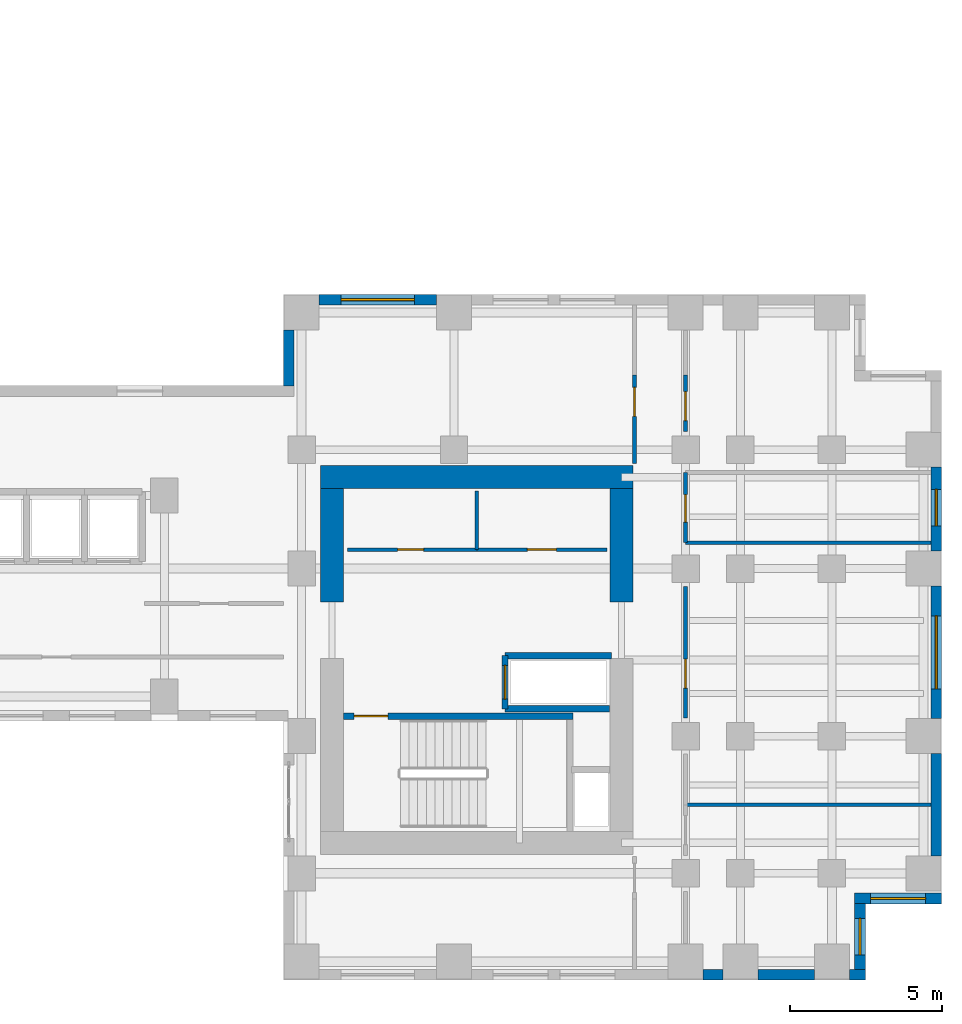
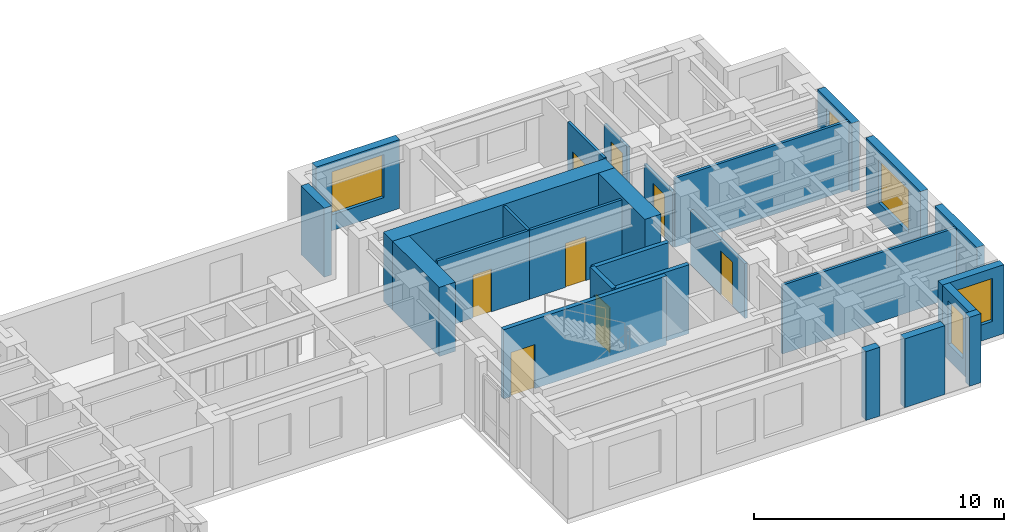
# One storey, part 8 of 12: 26 walls, 8 doors, 5 windows, 13 openings.
"""IFC4 building model written with IfcOpenShell, lengths in metres."""

from ifc_helpers import new_model, si_unit, direction, frame, frame_2d, origin, place, context, subcontext, project, spatial, rectangle, extrude, source, transform, mapped, material, layer, layer_set, type_object, element, fill, save


model = new_model("IFC4")

# Units and contexts
model_context = context("Model", 3, precision=1e-05, world=origin(), true_north=direction((0.0, 1.0)))
body_context = subcontext(model_context, "Body", "Model", "MODEL_VIEW")
ifc_project = project(units=[si_unit("LENGTHUNIT", "METRE"), si_unit("AREAUNIT", "SQUARE_METRE"), si_unit("VOLUMEUNIT", "CUBIC_METRE"), si_unit("PLANEANGLEUNIT", "RADIAN"), si_unit("MASSUNIT", "GRAM", prefix="KILO")], contexts=[model_context])

# Site, building, storey
site_placement = place(None, origin())
site = spatial("IfcSite", under=ifc_project, at=site_placement, CompositionType="ELEMENT")
building_placement = place(site_placement, origin())
building = spatial("IfcBuilding", under=site, at=building_placement, Name="Kharzan Plaza Tower", CompositionType="ELEMENT")
storey_placement = place(building_placement, frame((0.0, 0.0, 117.0)))
storey = spatial("IfcBuildingStorey", under=building, at=storey_placement, Name="L31", CompositionType="ELEMENT", Elevation=117.0)

# Wall, opening, window
ifc_material_1 = material(Name="Concrete C40/50", Category="concrete")
ifc_layer_1 = layer(ifc_material_1, 0.35009765625)
ifc_layer_set_1 = layer_set([ifc_layer_1], Name="Concrete C40/50")
wall_type_1 = type_object("IfcWallType", Name="WL-EXT-MAS-Z2", PredefinedType="SOLIDWALL", material=ifc_layer_set_1)
wall_1_placement = place(storey_placement, frame((53.324951171875, 0.347900390625, 0.0), z_axis=(0.0, 0.0, 1.0), x_axis=(0.0, 1.0, 0.0)))
wall_1 = element("IfcWall", 1, at=wall_1_placement, inside=storey, type_object=wall_type_1, Name="L31 Masonry-Frame Exterior Wall 45", PredefinedType="SOLIDWALL", context=body_context, shape_type="SweptSolid", body=[
    extrude(rectangle(XDim=2.154052734375, YDim=0.35009765625, at=frame_2d((1.0771484375, 0.0))), origin(), (0.0, 0.0, 1.0), 3.364990234375),
])
opening_1_placement = place(wall_1_placement, frame((0.47705078125, 0.0, 0.780029296875)))
opening_1 = element("IfcOpeningElement", 2, at=opening_1_placement, cuts=wall_1, Name="Opening W3", PredefinedType="OPENING", context=body_context, shape_type="SweptSolid", body=[
    extrude(rectangle(XDim=1.199951171875, YDim=2.10009765625, at=frame_2d((0.60009765625, 1.050048828125))), frame((0.0, 0.18505859375, 0.0), z_axis=(0.0, -1.0, 0.0), x_axis=(1.0, 0.0, 0.0)), (0.0, 0.0, 1.0), 0.3701171875),
])
ifc_material_2 = material(Name="Low-E Double Glazing", Category="glass")
window_type_1 = type_object("IfcWindowType", Name="WN-REC-1200x2100", PartitioningType="SINGLE_PANEL", PredefinedType="WINDOW", material=ifc_material_2)
shared_shape_1 = source(origin(), body_context, "Body", "SweptSolid", [
    extrude(rectangle(XDim=1.199951171875, YDim=2.10009765625, at=frame_2d((0.60009765625, 1.050048828125))), frame((0.0, 0.030029296875, 0.0), z_axis=(0.0, -1.0, 0.0), x_axis=(1.0, 0.0, 0.0)), (0.0, 0.0, 1.0), 0.06005859375),
])
window_1_placement = place(opening_1_placement, origin())
window_1 = element("IfcWindow", 3, at=window_1_placement, inside=storey, type_object=window_type_1, Name="L31 Recessed Solar-Control Window 45-1", OverallHeight=2.10009765625, OverallWidth=1.199951171875, PartitioningType="SINGLE_PANEL", PredefinedType="WINDOW", context=body_context, shape_type="MappedRepresentation", body=[
    mapped(shared_shape_1, transform((0.0, 0.0, 0.0), x_axis=(1.0, 0.0, 0.0), y_axis=(0.0, 1.0, 0.0), z_axis=(0.0, 0.0, 1.0))),
])
fill(opening_1, window_1)

wall_2_placement = place(storey_placement, frame((53.14990234375, 2.675048828125, 0.0), z_axis=(0.0, 0.0, 1.0), x_axis=(1.0, 0.0, 0.0)))
wall_2 = element("IfcWall", 4, at=wall_2_placement, inside=storey, type_object=wall_type_1, Name="L31 Masonry-Frame Exterior Wall 46", PredefinedType="SOLIDWALL", context=body_context, shape_type="SweptSolid", body=[
    extrude(rectangle(XDim=2.85009765625, YDim=0.35009765625, at=frame_2d((1.425048828125, 0.0))), origin(), (0.0, 0.0, 1.0), 3.364990234375),
])
opening_2_placement = place(wall_2_placement, frame((0.52490234375, 0.0, 0.780029296875)))
opening_2 = element("IfcOpeningElement", 5, at=opening_2_placement, cuts=wall_2, Name="Opening W1", PredefinedType="OPENING", context=body_context, shape_type="SweptSolid", body=[
    extrude(rectangle(XDim=1.800048828125, YDim=2.10009765625, at=frame_2d((0.89990234375, 1.050048828125))), frame((0.0, 0.18505859375, 0.0), z_axis=(0.0, -1.0, 0.0), x_axis=(1.0, 0.0, 0.0)), (0.0, 0.0, 1.0), 0.3701171875),
])
window_type_2 = type_object("IfcWindowType", Name="WN-REC-1800x2100", PartitioningType="SINGLE_PANEL", PredefinedType="WINDOW", material=ifc_material_2)
shared_shape_2 = source(origin(), body_context, "Body", "SweptSolid", [
    extrude(rectangle(XDim=1.800048828125, YDim=2.10009765625, at=frame_2d((0.89990234375, 1.050048828125))), frame((0.0, 0.030029296875, 0.0), z_axis=(0.0, -1.0, 0.0), x_axis=(1.0, 0.0, 0.0)), (0.0, 0.0, 1.0), 0.06005859375),
])
window_2_placement = place(opening_2_placement, origin())
window_2 = element("IfcWindow", 6, at=window_2_placement, inside=storey, type_object=window_type_2, Name="L31 Recessed Solar-Control Window 46-1", OverallHeight=2.10009765625, OverallWidth=1.800048828125, PartitioningType="SINGLE_PANEL", PredefinedType="WINDOW", context=body_context, shape_type="MappedRepresentation", body=[
    mapped(shared_shape_2, transform((0.0, 0.0, 0.0), x_axis=(1.0, 0.0, 0.0), y_axis=(0.0, 1.0, 0.0), z_axis=(0.0, 0.0, 1.0))),
])
fill(opening_2, window_2)

wall_3_placement = place(storey_placement, frame((55.824951171875, 8.572998046875, 0.0), z_axis=(0.0, 0.0, 1.0), x_axis=(0.0, 1.0, 0.0)))
wall_3 = element("IfcWall", 7, at=wall_3_placement, inside=storey, type_object=wall_type_1, Name="L31 Masonry-Frame Exterior Wall 48", PredefinedType="SOLIDWALL", context=body_context, shape_type="SweptSolid", body=[
    extrude(rectangle(XDim=4.35400390625, YDim=0.35009765625, at=frame_2d((2.177001953125, 0.0))), origin(), (0.0, 0.0, 1.0), 3.364990234375),
])
opening_3_placement = place(wall_3_placement, frame((0.97705078125, 0.0, 0.780029296875)))
opening_3 = element("IfcOpeningElement", 8, at=opening_3_placement, cuts=wall_3, Name="Opening W2", PredefinedType="OPENING", context=body_context, shape_type="SweptSolid", body=[
    extrude(rectangle(XDim=2.39990234375, YDim=2.10009765625, at=frame_2d((1.199951171875, 1.050048828125))), frame((0.0, 0.18505859375, 0.0), z_axis=(0.0, -1.0, 0.0), x_axis=(1.0, 0.0, 0.0)), (0.0, 0.0, 1.0), 0.3701171875),
])
window_type_3 = type_object("IfcWindowType", Name="WN-REC-2400x2100", PartitioningType="SINGLE_PANEL", PredefinedType="WINDOW", material=ifc_material_2)
shared_shape_3 = source(origin(), body_context, "Body", "SweptSolid", [
    extrude(rectangle(XDim=2.39990234375, YDim=2.10009765625, at=frame_2d((1.199951171875, 1.050048828125))), frame((0.0, 0.030029296875, 0.0), z_axis=(0.0, -1.0, 0.0), x_axis=(1.0, 0.0, 0.0)), (0.0, 0.0, 1.0), 0.06005859375),
])
window_3_placement = place(opening_3_placement, origin())
window_3 = element("IfcWindow", 9, at=window_3_placement, inside=storey, type_object=window_type_3, Name="L31 Wide Recessed Solar-Control Window 48-1", OverallHeight=2.10009765625, OverallWidth=2.39990234375, PartitioningType="SINGLE_PANEL", PredefinedType="WINDOW", context=body_context, shape_type="MappedRepresentation", body=[
    mapped(shared_shape_3, transform((0.0, 0.0, 0.0), x_axis=(1.0, 0.0, 0.0), y_axis=(0.0, 1.0, 0.0), z_axis=(0.0, 0.0, 1.0))),
])
fill(opening_3, window_3)

wall_4_placement = place(storey_placement, frame((55.824951171875, 14.072998046875, 0.0), z_axis=(0.0, 0.0, 1.0), x_axis=(0.0, 1.0, 0.0)))
wall_4 = element("IfcWall", 10, at=wall_4_placement, inside=storey, type_object=wall_type_1, Name="L31 Masonry-Frame Exterior Wall 49", PredefinedType="SOLIDWALL", context=body_context, shape_type="SweptSolid", body=[
    extrude(rectangle(XDim=2.75390625, YDim=0.35009765625, at=frame_2d((1.376953125, 0.0))), origin(), (0.0, 0.0, 1.0), 3.364990234375),
])
opening_4_placement = place(wall_4_placement, frame((0.826904296875, 0.0, 0.780029296875)))
opening_4 = element("IfcOpeningElement", 11, at=opening_4_placement, cuts=wall_4, Name="Opening W3", PredefinedType="OPENING", context=body_context, shape_type="SweptSolid", body=[
    extrude(rectangle(XDim=1.199951171875, YDim=2.10009765625, at=frame_2d((0.60009765625, 1.050048828125))), frame((0.0, 0.18505859375, 0.0), z_axis=(0.0, -1.0, 0.0), x_axis=(1.0, 0.0, 0.0)), (0.0, 0.0, 1.0), 0.3701171875),
])
window_4_placement = place(opening_4_placement, origin())
window_4 = element("IfcWindow", 12, at=window_4_placement, inside=storey, type_object=window_type_1, Name="L31 Recessed Solar-Control Window 49-1", OverallHeight=2.10009765625, OverallWidth=1.199951171875, PartitioningType="SINGLE_PANEL", PredefinedType="WINDOW", context=body_context, shape_type="MappedRepresentation", body=[
    mapped(shared_shape_1, transform((0.0, 0.0, 0.0), x_axis=(1.0, 0.0, 0.0), y_axis=(0.0, 1.0, 0.0), z_axis=(0.0, 0.0, 1.0))),
])
fill(opening_4, window_4)

wall_5_placement = place(storey_placement, frame((39.427001953125, 22.324951171875, 0.0), z_axis=(0.0, 0.0, 1.0), x_axis=(-1.0, 0.0, 0.0)))
wall_5 = element("IfcWall", 13, at=wall_5_placement, inside=storey, type_object=wall_type_1, Name="L31 Masonry-Frame Exterior Wall 57", PredefinedType="SOLIDWALL", context=body_context, shape_type="SweptSolid", body=[
    extrude(rectangle(XDim=3.85400390625, YDim=0.35009765625, at=frame_2d((1.927001953125, 0.0))), origin(), (0.0, 0.0, 1.0), 3.364990234375),
])
opening_5_placement = place(wall_5_placement, frame((0.72705078125, 0.0, 0.780029296875)))
opening_5 = element("IfcOpeningElement", 14, at=opening_5_placement, cuts=wall_5, Name="Opening W2", PredefinedType="OPENING", context=body_context, shape_type="SweptSolid", body=[
    extrude(rectangle(XDim=2.39990234375, YDim=2.10009765625, at=frame_2d((1.199951171875, 1.050048828125))), frame((0.0, 0.18505859375, 0.0), z_axis=(0.0, -1.0, 0.0), x_axis=(1.0, 0.0, 0.0)), (0.0, 0.0, 1.0), 0.3701171875),
])
window_5_placement = place(opening_5_placement, origin())
window_5 = element("IfcWindow", 15, at=window_5_placement, inside=storey, type_object=window_type_3, Name="L31 Wide Recessed Solar-Control Window 57-1", OverallHeight=2.10009765625, OverallWidth=2.39990234375, PartitioningType="SINGLE_PANEL", PredefinedType="WINDOW", context=body_context, shape_type="MappedRepresentation", body=[
    mapped(shared_shape_3, transform((0.0, 0.0, 0.0), x_axis=(1.0, 0.0, 0.0), y_axis=(0.0, 1.0, 0.0), z_axis=(0.0, 0.0, 1.0))),
])
fill(opening_5, window_5)

# Wall, opening, door
ifc_material_3 = material(Name="Fire-Rated Gypsum Board Partition", Category="gypsum")
ifc_layer_2 = layer(ifc_material_3, 0.125)
ifc_layer_set_2 = layer_set([ifc_layer_2], Name="Fire-Rated Gypsum Board Partition")
wall_type_2 = type_object("IfcWallType", Name="WL-INT-PART-125", PredefinedType="PARTITIONING", material=ifc_layer_set_2)
wall_6_placement = place(storey_placement, frame((36.5, 14.1201171875, 0.0), z_axis=(0.0, 0.0, 1.0), x_axis=(1.0, 0.0, 0.0)))
wall_6 = element("IfcWall", 16, at=wall_6_placement, inside=storey, type_object=wall_type_2, Name="L31 Interior Partition CB-RBLS1", PredefinedType="PARTITIONING", context=body_context, shape_type="SweptSolid", body=[
    extrude(rectangle(XDim=4.25, YDim=0.125, at=frame_2d((2.125, 0.0))), origin(), (0.0, 0.0, 1.0), 3.364990234375),
])
opening_6_placement = place(wall_6_placement, frame((1.64990234375, 0.0, 0.0)))
opening_6 = element("IfcOpeningElement", 17, at=opening_6_placement, cuts=wall_6, Name="Opening RD1", PredefinedType="OPENING", context=body_context, shape_type="SweptSolid", body=[
    extrude(rectangle(XDim=0.85009765625, YDim=2.10009765625, at=frame_2d((0.425048828125, 1.050048828125))), frame((0.0, 0.072509765625, 0.0), z_axis=(0.0, -1.0, 0.0), x_axis=(1.0, 0.0, 0.0)), (0.0, 0.0, 1.0), 0.14501953125),
])
ifc_material_4 = material(Name="Powder-Coated Fire-Rated Steel", Category="steel")
door_type_1 = type_object("IfcDoorType", Name="DR-RISER-900", OperationType="NOTDEFINED", PredefinedType="DOOR", material=ifc_material_4)
shared_shape_4 = source(origin(), body_context, "Body", "SweptSolid", [
    extrude(rectangle(XDim=0.85009765625, YDim=2.10009765625, at=frame_2d((0.425048828125, 1.050048828125))), frame((0.0, 0.02490234375, 0.0), z_axis=(0.0, -1.0, 0.0), x_axis=(1.0, 0.0, 0.0)), (0.0, 0.0, 1.0), 0.050048828125),
])
door_1_placement = place(opening_6_placement, origin())
door_1 = element("IfcDoor", 18, at=door_1_placement, inside=storey, type_object=door_type_1, Name="L31 Archive Room Door", OperationType="SINGLE_SWING_RIGHT", OverallHeight=2.10009765625, OverallWidth=0.85009765625, PredefinedType="DOOR", context=body_context, shape_type="MappedRepresentation", body=[
    mapped(shared_shape_4, transform((0.0, 0.0, 0.0), x_axis=(1.0, 0.0, 0.0), y_axis=(0.0, 1.0, 0.0), z_axis=(0.0, 0.0, 1.0))),
])
fill(opening_6, door_1)

wall_7_placement = place(storey_placement, frame((40.75, 14.1201171875, 0.0), z_axis=(0.0, 0.0, 1.0), x_axis=(1.0, 0.0, 0.0)))
wall_7 = element("IfcWall", 19, at=wall_7_placement, inside=storey, type_object=wall_type_2, Name="L31 Interior Partition CB-RBLS2", PredefinedType="PARTITIONING", context=body_context, shape_type="SweptSolid", body=[
    extrude(rectangle(XDim=4.27001953125, YDim=0.125, at=frame_2d((2.135009765625, 0.0))), origin(), (0.0, 0.0, 1.0), 3.364990234375),
])
opening_7_placement = place(wall_7_placement, frame((1.659912109375, 0.0, 0.0)))
opening_7 = element("IfcOpeningElement", 20, at=opening_7_placement, cuts=wall_7, Name="Opening OD1", PredefinedType="OPENING", context=body_context, shape_type="SweptSolid", body=[
    extrude(rectangle(XDim=0.949951171875, YDim=2.14990234375, at=frame_2d((0.47509765625, 1.074951171875))), frame((0.0, 0.072509765625, 0.0), z_axis=(0.0, -1.0, 0.0), x_axis=(1.0, 0.0, 0.0)), (0.0, 0.0, 1.0), 0.14501953125),
])
ifc_material_5 = material(Name="Acoustic Solid-Core Stained Oak", Category="timber")
door_type_2 = type_object("IfcDoorType", Name="DR-OFF-SINGLE", OperationType="NOTDEFINED", PredefinedType="DOOR", material=ifc_material_5)
shared_shape_5 = source(origin(), body_context, "Body", "SweptSolid", [
    extrude(rectangle(XDim=0.949951171875, YDim=2.14990234375, at=frame_2d((0.47509765625, 1.074951171875))), frame((0.0, 0.02490234375, 0.0), z_axis=(0.0, -1.0, 0.0), x_axis=(1.0, 0.0, 0.0)), (0.0, 0.0, 1.0), 0.050048828125),
])
door_2_placement = place(opening_7_placement, origin())
door_2 = element("IfcDoor", 21, at=door_2_placement, inside=storey, type_object=door_type_2, Name="L31 Print Room Door", OperationType="SINGLE_SWING_LEFT", OverallHeight=2.14990234375, OverallWidth=0.949951171875, PredefinedType="DOOR", context=body_context, shape_type="MappedRepresentation", body=[
    mapped(shared_shape_5, transform((0.0, 0.0, 0.0), x_axis=(1.0, 0.0, 0.0), y_axis=(0.0, 1.0, 0.0), z_axis=(0.0, 0.0, 1.0))),
])
fill(opening_7, door_2)

wall_8_placement = place(storey_placement, frame((47.60009765625, 8.590087890625, 0.0), z_axis=(0.0, 0.0, 1.0), x_axis=(0.0, 1.0, 0.0)))
wall_8 = element("IfcWall", 22, at=wall_8_placement, inside=storey, type_object=wall_type_2, Name="L31 Interior Partition SH-B3W1-S2", PredefinedType="PARTITIONING", context=body_context, shape_type="SweptSolid", body=[
    extrude(rectangle(XDim=4.31982421875, YDim=0.125, at=frame_2d((2.159912109375, 0.0))), origin(), (0.0, 0.0, 1.0), 2.677001953125),
])
opening_8_placement = place(wall_8_placement, frame((0.985107421875, 0.0, 0.0)))
opening_8 = element("IfcOpeningElement", 23, at=opening_8_placement, cuts=wall_8, Name="Opening OD1", PredefinedType="OPENING", context=body_context, shape_type="SweptSolid", body=[
    extrude(rectangle(XDim=0.949951171875, YDim=2.14990234375, at=frame_2d((0.47509765625, 1.074951171875))), frame((0.0, 0.072509765625, 0.0), z_axis=(0.0, -1.0, 0.0), x_axis=(1.0, 0.0, 0.0)), (0.0, 0.0, 1.0), 0.14501953125),
])
door_3_placement = place(opening_8_placement, origin())
door_3 = element("IfcDoor", 24, at=door_3_placement, inside=storey, type_object=door_type_2, Name="L31 Wing B Office 2 Door", OperationType="SINGLE_SWING_RIGHT", OverallHeight=2.14990234375, OverallWidth=0.949951171875, PredefinedType="DOOR", context=body_context, shape_type="MappedRepresentation", body=[
    mapped(shared_shape_5, transform((0.0, 0.0, 0.0), x_axis=(1.0, 0.0, 0.0), y_axis=(0.0, 1.0, 0.0), z_axis=(0.0, 0.0, 1.0))),
])
fill(opening_8, door_3)

wall_9_placement = place(storey_placement, frame((47.60009765625, 17.989990234375, 0.0), z_axis=(0.0, 0.0, 1.0), x_axis=(0.0, 1.0, 0.0)))
wall_9 = element("IfcWall", 25, at=wall_9_placement, inside=storey, type_object=wall_type_2, Name="L31 Interior Partition SH-B3W2", PredefinedType="PARTITIONING", context=body_context, shape_type="SweptSolid", body=[
    extrude(rectangle(XDim=1.860107421875, YDim=0.125, at=frame_2d((0.93017578125, 0.0))), origin(), (0.0, 0.0, 1.0), 2.677001953125),
])
opening_9_placement = place(wall_9_placement, frame((0.36328125, 0.0, 0.0)))
opening_9 = element("IfcOpeningElement", 26, at=opening_9_placement, cuts=wall_9, Name="Opening OD1", PredefinedType="OPENING", context=body_context, shape_type="SweptSolid", body=[
    extrude(rectangle(XDim=0.949951171875, YDim=2.14990234375, at=frame_2d((0.47509765625, 1.074951171875))), frame((0.0, 0.072509765625, 0.0), z_axis=(0.0, -1.0, 0.0), x_axis=(1.0, 0.0, 0.0)), (0.0, 0.0, 1.0), 0.14501953125),
])
door_4_placement = place(opening_9_placement, origin())
door_4 = element("IfcDoor", 27, at=door_4_placement, inside=storey, type_object=door_type_2, Name="L31 Wing B Office 3 Door", OperationType="SINGLE_SWING_RIGHT", OverallHeight=2.14990234375, OverallWidth=0.949951171875, PredefinedType="DOOR", context=body_context, shape_type="MappedRepresentation", body=[
    mapped(shared_shape_5, transform((0.0, 0.0, 0.0), x_axis=(1.0, 0.0, 0.0), y_axis=(0.0, 1.0, 0.0), z_axis=(0.0, 0.0, 1.0))),
])
fill(opening_9, door_4)

wall_10_placement = place(storey_placement, frame((47.60009765625, 14.35009765625, 0.0), z_axis=(0.0, 0.0, 1.0), x_axis=(0.0, 1.0, 0.0)))
wall_10 = element("IfcWall", 28, at=wall_10_placement, inside=storey, type_object=wall_type_2, Name="L31 Interior Partition SH-B3WC", PredefinedType="PARTITIONING", context=body_context, shape_type="SweptSolid", body=[
    extrude(rectangle(XDim=2.2998046875, YDim=0.125, at=frame_2d((1.14990234375, 0.0))), origin(), (0.0, 0.0, 1.0), 2.677001953125),
])
opening_10_placement = place(wall_10_placement, frame((0.675048828125, 0.0, 0.0)))
opening_10 = element("IfcOpeningElement", 29, at=opening_10_placement, cuts=wall_10, Name="Opening WD1", PredefinedType="OPENING", context=body_context, shape_type="SweptSolid", body=[
    extrude(rectangle(XDim=0.89990234375, YDim=2.14990234375, at=frame_2d((0.449951171875, 1.074951171875))), frame((0.0, 0.072509765625, 0.0), z_axis=(0.0, -1.0, 0.0), x_axis=(1.0, 0.0, 0.0)), (0.0, 0.0, 1.0), 0.14501953125),
])
ifc_material_6 = material(Name="Moisture-Resistant Fire-Rated Laminate", Category="timber")
door_type_3 = type_object("IfcDoorType", Name="DR-WC-900", OperationType="NOTDEFINED", PredefinedType="DOOR", material=ifc_material_6)
shared_shape_6 = source(origin(), body_context, "Body", "SweptSolid", [
    extrude(rectangle(XDim=0.89990234375, YDim=2.14990234375, at=frame_2d((0.449951171875, 1.074951171875))), frame((0.0, 0.02490234375, 0.0), z_axis=(0.0, -1.0, 0.0), x_axis=(1.0, 0.0, 0.0)), (0.0, 0.0, 1.0), 0.050048828125),
])
door_5_placement = place(opening_10_placement, origin())
door_5 = element("IfcDoor", 30, at=door_5_placement, inside=storey, type_object=door_type_3, Name="L31 Wing B Washroom Door", OperationType="SINGLE_SWING_LEFT", OverallHeight=2.14990234375, OverallWidth=0.89990234375, PredefinedType="DOOR", context=body_context, shape_type="MappedRepresentation", body=[
    mapped(shared_shape_6, transform((0.0, 0.0, 0.0), x_axis=(1.0, 0.0, 0.0), y_axis=(0.0, 1.0, 0.0), z_axis=(0.0, 0.0, 1.0))),
])
fill(opening_10, door_5)

wall_11_placement = place(storey_placement, frame((45.919921875, 16.949951171875, 0.0), z_axis=(0.0, 0.0, 1.0), x_axis=(0.0, 1.0, 0.0)))
wall_11 = element("IfcWall", 31, at=wall_11_placement, inside=storey, type_object=wall_type_2, Name="L31 Interior Partition SH-RBNE", PredefinedType="PARTITIONING", context=body_context, shape_type="SweptSolid", body=[
    extrude(rectangle(XDim=2.900146484375, YDim=0.125, at=frame_2d((1.4501953125, 0.0))), origin(), (0.0, 0.0, 1.0), 3.364990234375),
])
opening_11_placement = place(wall_11_placement, frame((1.54296875, 0.0, 0.0)))
opening_11 = element("IfcOpeningElement", 32, at=opening_11_placement, cuts=wall_11, Name="Opening OD1", PredefinedType="OPENING", context=body_context, shape_type="SweptSolid", body=[
    extrude(rectangle(XDim=0.949951171875, YDim=2.14990234375, at=frame_2d((0.47509765625, 1.074951171875))), frame((0.0, 0.072509765625, 0.0), z_axis=(0.0, -1.0, 0.0), x_axis=(1.0, 0.0, 0.0)), (0.0, 0.0, 1.0), 0.14501953125),
])
door_6_placement = place(opening_11_placement, origin())
door_6 = element("IfcDoor", 33, at=door_6_placement, inside=storey, type_object=door_type_2, Name="L31 Wing B North Studio Door", OperationType="SINGLE_SWING_RIGHT", OverallHeight=2.14990234375, OverallWidth=0.949951171875, PredefinedType="DOOR", context=body_context, shape_type="MappedRepresentation", body=[
    mapped(shared_shape_5, transform((0.0, 0.0, 0.0), x_axis=(1.0, 0.0, 0.0), y_axis=(0.0, 1.0, 0.0), z_axis=(0.0, 0.0, 1.0))),
])
fill(opening_11, door_6)

ifc_layer_3 = layer(ifc_material_1, 0.199951171875)
ifc_layer_set_3 = layer_set([ifc_layer_3], Name="Concrete C40/50")
wall_type_3 = type_object("IfcWallType", Name="WL-INT-SHAFT-200", PredefinedType="PARTITIONING", material=ifc_layer_set_3)
wall_12_placement = place(storey_placement, frame((41.679931640625, 8.89990234375, 0.0), z_axis=(0.0, 0.0, 1.0), x_axis=(0.0, 1.0, 0.0)))
wall_12 = element("IfcWall", 34, at=wall_12_placement, inside=storey, type_object=wall_type_3, Name="L31 Interior Partition SHF-SVL-2-W", PredefinedType="PARTITIONING", context=body_context, shape_type="SweptSolid", body=[
    extrude(rectangle(XDim=1.739990234375, YDim=0.199951171875, at=frame_2d((0.8701171875, 0.0))), origin(), (0.0, 0.0, 1.0), 3.364990234375),
])
opening_12_placement = place(wall_12_placement, frame((0.320068359375, 0.0, 0.0)))
opening_12 = element("IfcOpeningElement", 35, at=opening_12_placement, cuts=wall_12, Name="Opening LD", PredefinedType="OPENING", context=body_context, shape_type="SweptSolid", body=[
    extrude(rectangle(XDim=1.10009765625, YDim=2.199951171875, at=frame_2d((0.550048828125, 1.10009765625))), frame((0.0, 0.10986328125, 0.0), z_axis=(0.0, -1.0, 0.0), x_axis=(1.0, 0.0, 0.0)), (0.0, 0.0, 1.0), 0.219970703125),
])
ifc_material_7 = material(Name="Brushed Stainless Steel", Category="steel")
door_type_4 = type_object("IfcDoorType", Name="DR-LIFT-SLIDE", OperationType="SLIDING_TO_LEFT", PredefinedType="DOOR", material=ifc_material_7)
shared_shape_7 = source(origin(), body_context, "Body", "SweptSolid", [
    extrude(rectangle(XDim=1.10009765625, YDim=2.199951171875, at=frame_2d((0.550048828125, 1.10009765625))), frame((0.0, 0.02490234375, 0.0), z_axis=(0.0, -1.0, 0.0), x_axis=(1.0, 0.0, 0.0)), (0.0, 0.0, 1.0), 0.050048828125),
])
door_7_placement = place(opening_12_placement, origin())
door_7 = element("IfcDoor", 36, at=door_7_placement, inside=storey, type_object=door_type_4, Name="L31 Service Lift SVL-2 Sliding Landing Door", OperationType="SLIDING_TO_LEFT", OverallHeight=2.199951171875, OverallWidth=1.10009765625, PredefinedType="DOOR", context=body_context, shape_type="MappedRepresentation", body=[
    mapped(shared_shape_7, transform((0.0, 0.0, 0.0), x_axis=(1.0, 0.0, 0.0), y_axis=(0.0, 1.0, 0.0), z_axis=(0.0, 0.0, 1.0))),
])
fill(opening_12, door_7)

ifc_material_8 = material(Name="Concrete C50/60", Category="concrete")
ifc_layer_4 = layer(ifc_material_8, 0.199951171875)
ifc_layer_set_4 = layer_set([ifc_layer_4], Name="Concrete C50/60")
wall_type_4 = type_object("IfcWallType", Name="WL-SHAFT-RC200", PredefinedType="SHEAR", material=ifc_layer_set_4)
wall_13_placement = place(storey_placement, frame((36.376953125, 8.655029296875, 0.0), z_axis=(0.0, 0.0, 1.0), x_axis=(1.0, 0.0, 0.0)))
wall_13 = element("IfcWall", 37, at=wall_13_placement, inside=storey, type_object=wall_type_4, Name="L31 Stair ST-3 North RC Shaft Wall", PredefinedType="SHEAR", context=body_context, shape_type="SweptSolid", body=[
    extrude(rectangle(XDim=7.528076171875, YDim=0.199951171875, at=frame_2d((3.76416015625, 0.0))), origin(), (0.0, 0.0, 1.0), 3.3798828125),
])
opening_13_placement = place(wall_13_placement, frame((0.35009765625, 0.0, 0.0)))
opening_13 = element("IfcOpeningElement", 38, at=opening_13_placement, cuts=wall_13, Name="Opening SD1", PredefinedType="OPENING", context=body_context, shape_type="SweptSolid", body=[
    extrude(rectangle(XDim=1.10009765625, YDim=2.14990234375, at=frame_2d((0.550048828125, 1.074951171875))), frame((0.0, 0.10986328125, 0.0), z_axis=(0.0, -1.0, 0.0), x_axis=(1.0, 0.0, 0.0)), (0.0, 0.0, 1.0), 0.219970703125),
])
ifc_material_9 = material(Name="Fire-Rated Hollow Galvanized Steel", Category="steel")
door_type_5 = type_object("IfcDoorType", Name="DR-STAIR-FD120", OperationType="NOTDEFINED", PredefinedType="DOOR", material=ifc_material_9)
shared_shape_8 = source(origin(), body_context, "Body", "SweptSolid", [
    extrude(rectangle(XDim=1.10009765625, YDim=2.14990234375, at=frame_2d((0.550048828125, 1.074951171875))), frame((0.0, 0.02490234375, 0.0), z_axis=(0.0, -1.0, 0.0), x_axis=(1.0, 0.0, 0.0)), (0.0, 0.0, 1.0), 0.050048828125),
])
door_8_placement = place(opening_13_placement, origin())
door_8 = element("IfcDoor", 39, at=door_8_placement, inside=storey, type_object=door_type_5, Name="L31 Stair ST-3 Fire Exit Door", OperationType="SINGLE_SWING_LEFT", OverallHeight=2.14990234375, OverallWidth=1.10009765625, PredefinedType="DOOR", context=body_context, shape_type="MappedRepresentation", body=[
    mapped(shared_shape_8, transform((0.0, 0.0, 0.0), x_axis=(1.0, 0.0, 0.0), y_axis=(0.0, 1.0, 0.0), z_axis=(0.0, 0.0, 1.0))),
])
fill(opening_13, door_8)

# Walls
shared_shape_9 = source(origin(), body_context, "Body", "SweptSolid", [
    extrude(rectangle(XDim=3.489990234375, YDim=0.199951171875, at=frame_2d((1.7451171875, 0.0))), origin(), (0.0, 0.0, 1.0), 3.364990234375),
])
wall_14_placement = place(storey_placement, frame((41.679931640625, 10.639892578125, 0.0), z_axis=(0.0, 0.0, 1.0), x_axis=(1.0, 0.0, 0.0)))
element("IfcWall", 40, at=wall_14_placement, inside=storey, type_object=wall_type_3, Name="L31 Interior Partition SHF-SVL-2-N", PredefinedType="PARTITIONING", context=body_context, shape_type="MappedRepresentation", body=[
    mapped(shared_shape_9, transform((0.0, 0.0, 0.0), x_axis=(1.0, 0.0, 0.0), y_axis=(0.0, 1.0, 0.0), z_axis=(0.0, 0.0, 1.0))),
])
shared_shape_10 = source(origin(), body_context, "Body", "SweptSolid", [
    extrude(rectangle(XDim=0.65380859375, YDim=0.35009765625, at=frame_2d((0.326904296875, 0.0))), origin(), (0.0, 0.0, 1.0), 3.364990234375),
])
wall_15_placement = place(storey_placement, frame((48.173095703125, 0.175048828125, 0.0), z_axis=(0.0, 0.0, 1.0), x_axis=(1.0, 0.0, 0.0)))
element("IfcWall", 41, at=wall_15_placement, inside=storey, type_object=wall_type_1, Name="L31 Masonry-Frame Exterior Wall 42", PredefinedType="SOLIDWALL", context=body_context, shape_type="MappedRepresentation", body=[
    mapped(shared_shape_10, transform((0.0, 0.0, 0.0), x_axis=(1.0, 0.0, 0.0), y_axis=(0.0, 1.0, 0.0), z_axis=(0.0, 0.0, 1.0))),
])
shared_shape_11 = source(origin(), body_context, "Body", "SweptSolid", [
    extrude(rectangle(XDim=1.85400390625, YDim=0.35009765625, at=frame_2d((0.927001953125, 0.0))), origin(), (0.0, 0.0, 1.0), 3.364990234375),
])
wall_16_placement = place(storey_placement, frame((49.972900390625, 0.175048828125, 0.0), z_axis=(0.0, 0.0, 1.0), x_axis=(1.0, 0.0, 0.0)))
element("IfcWall", 42, at=wall_16_placement, inside=storey, type_object=wall_type_1, Name="L31 Masonry-Frame Exterior Wall 43", PredefinedType="SOLIDWALL", context=body_context, shape_type="MappedRepresentation", body=[
    mapped(shared_shape_11, transform((0.0, 0.0, 0.0), x_axis=(1.0, 0.0, 0.0), y_axis=(0.0, 1.0, 0.0), z_axis=(0.0, 0.0, 1.0))),
])
shared_shape_12 = source(origin(), body_context, "Body", "SweptSolid", [
    extrude(rectangle(XDim=0.527099609375, YDim=0.35009765625, at=frame_2d((0.263671875, 0.0))), origin(), (0.0, 0.0, 1.0), 3.364990234375),
])
wall_17_placement = place(storey_placement, frame((52.972900390625, 0.175048828125, 0.0), z_axis=(0.0, 0.0, 1.0), x_axis=(1.0, 0.0, 0.0)))
element("IfcWall", 43, at=wall_17_placement, inside=storey, type_object=wall_type_1, Name="L31 Masonry-Frame Exterior Wall 44", PredefinedType="SOLIDWALL", context=body_context, shape_type="MappedRepresentation", body=[
    mapped(shared_shape_12, transform((0.0, 0.0, 0.0), x_axis=(1.0, 0.0, 0.0), y_axis=(0.0, 1.0, 0.0), z_axis=(0.0, 0.0, 1.0))),
])
shared_shape_13 = source(origin(), body_context, "Body", "SweptSolid", [
    extrude(rectangle(XDim=3.35400390625, YDim=0.35009765625, at=frame_2d((1.677001953125, 0.0))), origin(), (0.0, 0.0, 1.0), 3.364990234375),
])
wall_18_placement = place(storey_placement, frame((55.824951171875, 4.072998046875, 0.0), z_axis=(0.0, 0.0, 1.0), x_axis=(0.0, 1.0, 0.0)))
element("IfcWall", 44, at=wall_18_placement, inside=storey, type_object=wall_type_1, Name="L31 Masonry-Frame Exterior Wall 47", PredefinedType="SOLIDWALL", context=body_context, shape_type="MappedRepresentation", body=[
    mapped(shared_shape_13, transform((0.0, 0.0, 0.0), x_axis=(1.0, 0.0, 0.0), y_axis=(0.0, 1.0, 0.0), z_axis=(0.0, 0.0, 1.0))),
])
shared_shape_14 = source(origin(), body_context, "Body", "SweptSolid", [
    extrude(rectangle(XDim=8.0478515625, YDim=0.125, at=frame_2d((4.02392578125, 0.0))), origin(), (0.0, 0.0, 1.0), 3.364990234375),
])
for number, where, z_axis, x_axis, name in (
    (45, (47.60009765625, 14.35009765625, 0.0), (0.0, 0.0, 1.0), (1.0, 0.0, 0.0), "L31 Interior Partition SH-B3H-143"),
    (46, (47.60009765625, 5.75, 0.0), (0.0, 0.0, 1.0), (1.0, 0.0, 0.0), "L31 Interior Partition SH-B3H-57"),
):
    element("IfcWall", number, at=place(storey_placement, frame(where, z_axis=z_axis, x_axis=x_axis)), inside=storey, type_object=wall_type_2, Name=name, PredefinedType="PARTITIONING", context=body_context, shape_type="MappedRepresentation", body=[
        mapped(shared_shape_14, transform((0.0, 0.0, 0.0), x_axis=(1.0, 0.0, 0.0), y_axis=(0.0, 1.0, 0.0), z_axis=(0.0, 0.0, 1.0))),
    ])
shared_shape_15 = source(origin(), body_context, "Body", "SweptSolid", [
    extrude(rectangle(XDim=3.4150390625, YDim=0.199951171875, at=frame_2d((1.70751953125, 0.0))), origin(), (0.0, 0.0, 1.0), 3.364990234375),
])
wall_19_placement = place(storey_placement, frame((41.679931640625, 8.89990234375, 0.0), z_axis=(0.0, 0.0, 1.0), x_axis=(1.0, 0.0, 0.0)))
element("IfcWall", 47, at=wall_19_placement, inside=storey, type_object=wall_type_3, Name="L31 Interior Partition SHF-SVL-2-S", PredefinedType="PARTITIONING", context=body_context, shape_type="MappedRepresentation", body=[
    mapped(shared_shape_15, transform((0.0, 0.0, 0.0), x_axis=(1.0, 0.0, 0.0), y_axis=(0.0, 1.0, 0.0), z_axis=(0.0, 0.0, 1.0))),
])
ifc_material_10 = material(Name="Concrete C60/75", Category="concrete")
ifc_layer_5 = layer(ifc_material_10, 0.75)
ifc_layer_set_5 = layer_set([ifc_layer_5], Name="Concrete C60/75")
wall_type_5 = type_object("IfcWallType", Name="WL-CORE-750", PredefinedType="SHEAR", material=ifc_layer_set_5)
shared_shape_16 = source(origin(), body_context, "Body", "SweptSolid", [
    extrude(rectangle(XDim=3.72509765625, YDim=0.75, at=frame_2d((1.862548828125, 0.0))), origin(), (0.0, 0.0, 1.0), 3.3798828125),
])
for number, where, z_axis, x_axis, name in (
    (48, (45.5, 12.39990234375, 0.0), (0.0, 0.0, 1.0), (0.0, 1.0, 0.0), "L31 CORE-B east shear pier 2"),
    (49, (36.0, 12.39990234375, 0.0), (0.0, 0.0, 1.0), (0.0, 1.0, 0.0), "L31 CORE-B west shear pier 2"),
):
    element("IfcWall", number, at=place(storey_placement, frame(where, z_axis=z_axis, x_axis=x_axis)), inside=storey, type_object=wall_type_5, Name=name, PredefinedType="SHEAR", context=body_context, shape_type="MappedRepresentation", body=[
        mapped(shared_shape_16, transform((0.0, 0.0, 0.0), x_axis=(1.0, 0.0, 0.0), y_axis=(0.0, 1.0, 0.0), z_axis=(0.0, 0.0, 1.0))),
    ])
shared_shape_17 = source(origin(), body_context, "Body", "SweptSolid", [
    extrude(rectangle(XDim=10.25, YDim=0.75, at=frame_2d((5.125, 0.0))), origin(), (0.0, 0.0, 1.0), 3.3798828125),
])
wall_20_placement = place(storey_placement, frame((35.625, 16.5, 0.0), z_axis=(0.0, 0.0, 1.0), x_axis=(1.0, 0.0, 0.0)))
element("IfcWall", 50, at=wall_20_placement, inside=storey, type_object=wall_type_5, Name="L31 CORE-B north RC shear wall", PredefinedType="SHEAR", context=body_context, shape_type="MappedRepresentation", body=[
    mapped(shared_shape_17, transform((0.0, 0.0, 0.0), x_axis=(1.0, 0.0, 0.0), y_axis=(0.0, 1.0, 0.0), z_axis=(0.0, 0.0, 1.0))),
])
shared_shape_18 = source(origin(), body_context, "Body", "SweptSolid", [
    extrude(rectangle(XDim=1.929931640625, YDim=0.125, at=frame_2d((0.96484375, 0.0))), origin(), (0.0, 0.0, 1.0), 3.364990234375),
])
wall_21_placement = place(storey_placement, frame((40.75, 14.1201171875, 0.0), z_axis=(0.0, 0.0, 1.0), x_axis=(0.0, 1.0, 0.0)))
element("IfcWall", 51, at=wall_21_placement, inside=storey, type_object=wall_type_2, Name="L31 Interior Partition CB-RBLM1", PredefinedType="PARTITIONING", context=body_context, shape_type="MappedRepresentation", body=[
    mapped(shared_shape_18, transform((0.0, 0.0, 0.0), x_axis=(1.0, 0.0, 0.0), y_axis=(0.0, 1.0, 0.0), z_axis=(0.0, 0.0, 1.0))),
])
shared_shape_19 = source(origin(), body_context, "Body", "SweptSolid", [
    extrude(rectangle(XDim=1.828857421875, YDim=0.35009765625, at=frame_2d((0.91455078125, 0.0))), origin(), (0.0, 0.0, 1.0), 3.364990234375),
])
wall_22_placement = place(storey_placement, frame((34.574951171875, 21.326904296875, 0.0), z_axis=(0.0, 0.0, 1.0), x_axis=(0.0, -1.0, 0.0)))
element("IfcWall", 52, at=wall_22_placement, inside=storey, type_object=wall_type_1, Name="L31 Masonry-Frame Exterior Wall 58", PredefinedType="SOLIDWALL", context=body_context, shape_type="MappedRepresentation", body=[
    mapped(shared_shape_19, transform((0.0, 0.0, 0.0), x_axis=(1.0, 0.0, 0.0), y_axis=(0.0, 1.0, 0.0), z_axis=(0.0, 0.0, 1.0))),
])

save(model, "model.ifc")
